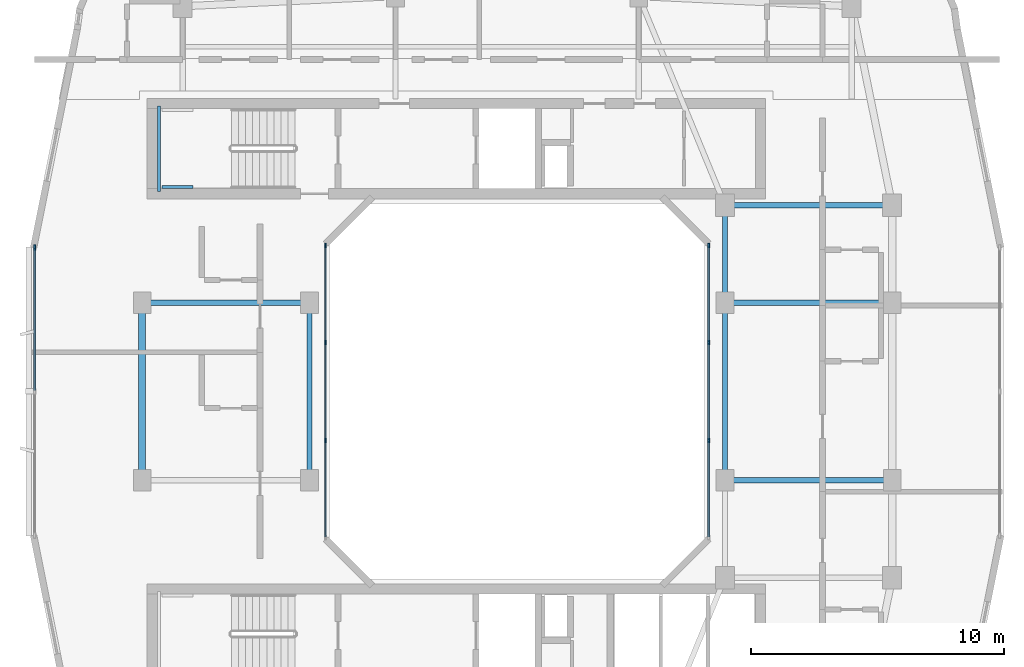
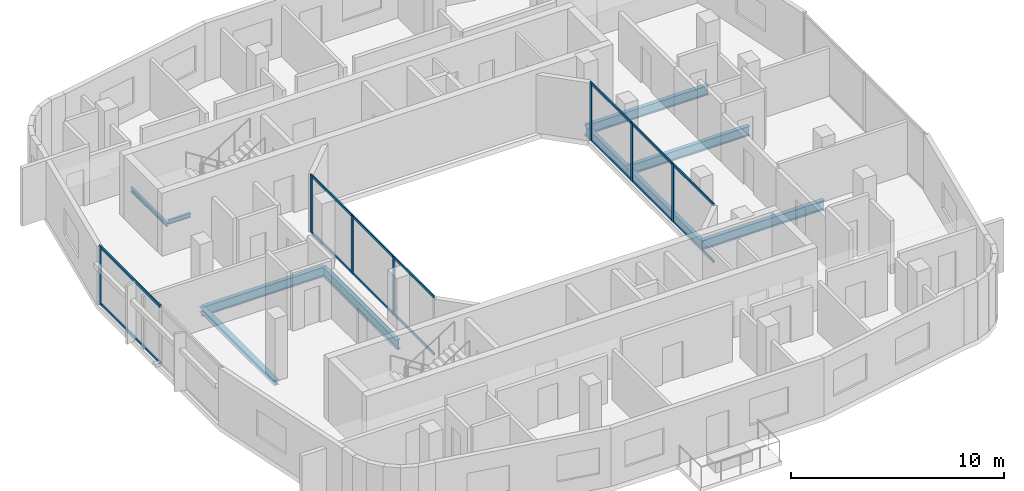
# One storey, part 3 of 13: 21 members, 10 beams, 3 elements without a shape of their own.
"""IFC4 building model written with IfcOpenShell, lengths in metres."""

from ifc_helpers import new_model, si_unit, derived_unit, direction, frame, origin, origin_2d, place, context, subcontext, project, spatial, rectangle, i_section, extrude, material, layer, layer_set, material_profile, profile_set, type_object, element, aggregate, save


model = new_model("IFC4")

# Units and contexts
model_context = context("Model", 3, precision=1e-05, world=origin(), true_north=direction((0.0, 1.0)))
body_context = subcontext(model_context, "Body", "Model", "MODEL_VIEW")
ifc_project = project(units=[si_unit("LENGTHUNIT", "METRE"), si_unit("AREAUNIT", "SQUARE_METRE"), si_unit("VOLUMEUNIT", "CUBIC_METRE"), si_unit("PLANEANGLEUNIT", "RADIAN"), si_unit("MASSUNIT", "GRAM", prefix="KILO"), derived_unit("THERMALTRANSMITTANCEUNIT", [(si_unit("POWERUNIT", "WATT"), 1), (si_unit("LENGTHUNIT", "METRE"), -2), (si_unit("THERMODYNAMICTEMPERATUREUNIT", "KELVIN"), -1)])], contexts=[model_context])

# Site, building, storey
site_placement = place(None, origin())
site = spatial("IfcSite", under=ifc_project, at=site_placement, CompositionType="ELEMENT")
building_placement = place(site_placement, origin())
building = spatial("IfcBuilding", under=site, at=building_placement, Name="Kivonza Crest Hotel", CompositionType="ELEMENT")
storey_placement = place(building_placement, frame((0.0, 0.0, 231.5)))
storey = spatial("IfcBuildingStorey", under=building, at=storey_placement, Name="L63", CompositionType="ELEMENT", Elevation=231.5)

# Beams
ifc_material_1 = material(Name="Steel S355", Category="steel")
ifc_material_profile_1 = material_profile(ifc_material_1, i_section(OverallWidth=0.280029296875, OverallDepth=0.280029296875, WebThickness=0.010498046875, FlangeThickness=0.01806640625, FilletRadius=0.02392578125, at=origin_2d()), Name="HEB 280")
ifc_profile_set_1 = profile_set([ifc_material_profile_1], Name="Steel S355")
beam_type_1 = type_object("IfcBeamType", Name="BM-HEB280", PredefinedType="SPANDREL", material=ifc_profile_set_1)
beam_1_placement = place(storey_placement, frame((6.199951171875, 28.5, -0.419921875), z_axis=(0.0, -1.0, 0.0), x_axis=(1.0, 0.0, 0.0)))
element("IfcBeam", 1, at=beam_1_placement, inside=storey, type_object=beam_type_1, Name="Tower T1 L63 perimeter spandrel W2-W1", PredefinedType="SPANDREL", context=body_context, shape_type="SweptSolid", body=[
    extrude(i_section(OverallWidth=0.280029296875, OverallDepth=0.280029296875, WebThickness=0.010498046875, FlangeThickness=0.01806640625, FilletRadius=0.02392578125, at=origin_2d()), origin(), (0.0, 0.0, 1.0), 7.0),
])
ifc_material_profile_2 = material_profile(ifc_material_1, i_section(OverallWidth=0.2099609375, OverallDepth=0.550048828125, WebThickness=0.010986328125, FlangeThickness=0.01708984375, FilletRadius=0.02392578125, at=origin_2d()), Name="IPE 550")
ifc_profile_set_2 = profile_set([ifc_material_profile_2], Name="Steel S355")
beam_type_2 = type_object("IfcBeamType", Name="BM-IPE550", PredefinedType="BEAM", material=ifc_profile_set_2)
beam_2_placement = place(storey_placement, frame((6.199951171875, 28.5, -0.554931640625), z_axis=(1.0, 0.0, 0.0), x_axis=(0.0, 1.0, 0.0)))
element("IfcBeam", 2, at=beam_2_placement, inside=storey, type_object=beam_type_2, Name="Tower T1 L63 primary girder W2-WL2", PredefinedType="BEAM", context=body_context, shape_type="SweptSolid", body=[
    extrude(i_section(OverallWidth=0.2099609375, OverallDepth=0.550048828125, WebThickness=0.010986328125, FlangeThickness=0.01708984375, FilletRadius=0.02392578125, at=origin_2d()), origin(), (0.0, 0.0, 1.0), 6.60009765625),
])
beam_3_placement = place(storey_placement, frame((12.800048828125, 21.5, -0.554931640625), z_axis=(0.0, 1.0, 0.0), x_axis=(-1.0, 0.0, 0.0)))
element("IfcBeam", 3, at=beam_3_placement, inside=storey, type_object=beam_type_2, Name="Tower T1 L63 primary girder WL1-WL2", PredefinedType="BEAM", context=body_context, shape_type="SweptSolid", body=[
    extrude(i_section(OverallWidth=0.2099609375, OverallDepth=0.550048828125, WebThickness=0.010986328125, FlangeThickness=0.01708984375, FilletRadius=0.02392578125, at=origin_2d()), origin(), (0.0, 0.0, 1.0), 7.0),
])
beam_4_placement = place(storey_placement, frame((29.199951171875, 32.35009765625, -0.554931640625), z_axis=(1.0, 0.0, 0.0), x_axis=(0.0, 1.0, 0.0)))
element("IfcBeam", 4, at=beam_4_placement, inside=storey, type_object=beam_type_2, Name="Tower T1 L63 primary girder TNE-PNE", PredefinedType="BEAM", context=body_context, shape_type="SweptSolid", body=[
    extrude(i_section(OverallWidth=0.2099609375, OverallDepth=0.550048828125, WebThickness=0.010986328125, FlangeThickness=0.01708984375, FilletRadius=0.02392578125, at=origin_2d()), origin(), (0.0, 0.0, 1.0), 6.60009765625),
])
beam_5_placement = place(storey_placement, frame((29.199951171875, 21.5, -0.554931640625), z_axis=(0.0, 1.0, 0.0), x_axis=(-1.0, 0.0, 0.0)))
element("IfcBeam", 5, at=beam_5_placement, inside=storey, type_object=beam_type_2, Name="Tower T1 L63 primary girder WR1-WR2", PredefinedType="BEAM", context=body_context, shape_type="SweptSolid", body=[
    extrude(i_section(OverallWidth=0.2099609375, OverallDepth=0.550048828125, WebThickness=0.010986328125, FlangeThickness=0.01708984375, FilletRadius=0.02392578125, at=origin_2d()), origin(), (0.0, 0.0, 1.0), 7.0),
])
beam_6_placement = place(storey_placement, frame((29.199951171875, 28.5, -0.554931640625), z_axis=(0.0, 1.0, 0.0), x_axis=(-1.0, 0.0, 0.0)))
element("IfcBeam", 6, at=beam_6_placement, inside=storey, type_object=beam_type_2, Name="Tower T1 L63 primary girder WR2-TNE", PredefinedType="BEAM", context=body_context, shape_type="SweptSolid", body=[
    extrude(i_section(OverallWidth=0.2099609375, OverallDepth=0.550048828125, WebThickness=0.010986328125, FlangeThickness=0.01708984375, FilletRadius=0.02392578125, at=origin_2d()), origin(), (0.0, 0.0, 1.0), 3.85009765625),
])
for number, where, z_axis, x_axis, name in (
    (7, (29.199951171875, 21.5, -0.554931640625), (1.0, 0.0, 0.0), (0.0, 1.0, 0.0), "Tower T1 L63 primary girder WR1-E1"),
    (8, (29.199951171875, 28.5, -0.554931640625), (1.0, 0.0, 0.0), (0.0, 1.0, 0.0), "Tower T1 L63 primary girder WR2-E2"),
):
    element("IfcBeam", number, at=place(storey_placement, frame(where, z_axis=z_axis, x_axis=x_axis)), inside=storey, type_object=beam_type_2, Name=name, PredefinedType="BEAM", context=body_context, shape_type="SweptSolid", body=[
        extrude(i_section(OverallWidth=0.2099609375, OverallDepth=0.550048828125, WebThickness=0.010986328125, FlangeThickness=0.01708984375, FilletRadius=0.02392578125, at=origin_2d()), origin(), (0.0, 0.0, 1.0), 6.60009765625),
    ])
ifc_material_profile_3 = material_profile(ifc_material_1, i_section(OverallWidth=0.1201171875, OverallDepth=0.239990234375, WebThickness=0.006103515625, FlangeThickness=0.009765625, FilletRadius=0.014892578125, at=origin_2d()), Name="IPE 240")
ifc_profile_set_3 = profile_set([ifc_material_profile_3], Name="Steel S355")
beam_type_3 = type_object("IfcBeamType", Name="BM-LLDG-240", PredefinedType="BEAM", material=ifc_profile_set_3)
beam_7_placement = place(storey_placement, frame((6.860107421875, 32.89990234375, 1.47998046875), z_axis=(0.0, 1.0, 0.0), x_axis=(-1.0, 0.0, 0.0)))
element("IfcBeam", 9, at=beam_7_placement, inside=storey, type_object=beam_type_3, Name="Stair ST-T1-N L63 West landing corbel", PredefinedType="BEAM", context=body_context, shape_type="SweptSolid", body=[
    extrude(i_section(OverallWidth=0.1201171875, OverallDepth=0.239990234375, WebThickness=0.006103515625, FlangeThickness=0.009765625, FilletRadius=0.014892578125, at=origin_2d()), origin(), (0.0, 0.0, 1.0), 3.360107421875),
])
beam_8_placement = place(storey_placement, frame((6.989990234375, 33.06005859375, 1.47998046875), z_axis=(1.0, 0.0, 0.0), x_axis=(0.0, 1.0, 0.0)))
element("IfcBeam", 10, at=beam_8_placement, inside=storey, type_object=beam_type_3, Name="Stair ST-T1-N L63 South landing corbel", PredefinedType="BEAM", context=body_context, shape_type="SweptSolid", body=[
    extrude(i_section(OverallWidth=0.1201171875, OverallDepth=0.239990234375, WebThickness=0.006103515625, FlangeThickness=0.009765625, FilletRadius=0.014892578125, at=origin_2d()), origin(), (0.0, 0.0, 1.0), 1.2099609375),
])

# Curtain wall, members
ifc_material_2 = material(Name="Anodised bronze aluminium and low-E double glazing", Category="aluminium")
ifc_layer_1 = layer(ifc_material_2, 0.159912109375)
ifc_layer_set_1 = layer_set([ifc_layer_1], Name="Anodised bronze aluminium and low-E double glazing")
curtain_wall_type_1 = type_object("IfcCurtainWallType", Name="CW-SYS-5", PredefinedType="NOTDEFINED", material=ifc_layer_set_1)
curtain_wall_1_placement = place(storey_placement, origin())
curtain_wall_1 = element("IfcCurtainWall", 11, at=curtain_wall_1_placement, inside=storey, type_object=curtain_wall_type_1, Name="L63 unitised curtain wall CW-WELL-T1-L63-3", PredefinedType="NOTDEFINED")
ifc_material_3 = material(Name="Anodised bronze aluminium", Category="aluminium")
ifc_material_profile_4 = material_profile(ifc_material_3, rectangle(XDim=0.06494140625, YDim=0.179931640625, at=origin_2d()), Name="CW-M 65x180")
ifc_profile_set_4 = profile_set([ifc_material_profile_4], Name="Anodised bronze aluminium")
member_type_1 = type_object("IfcMemberType", Name="CW-MUL-65x180", PredefinedType="MULLION", material=ifc_profile_set_4)
member_1_placement = place(storey_placement, frame((28.56005859375, 23.066650390625, 0.0), z_axis=(0.0, 0.0, 1.0), x_axis=(-1.0, 0.0, 0.0)))
member_1 = element("IfcMember", 12, at=member_1_placement, type_object=member_type_1, Name="CW-5 mullion 2", PredefinedType="MULLION", context=body_context, shape_type="SweptSolid", body=[
    extrude(rectangle(XDim=0.06494140625, YDim=0.179931640625, at=origin_2d()), origin(), (0.0, 0.0, 1.0), 3.320068359375),
])
member_2_placement = place(storey_placement, frame((28.56005859375, 26.933349609375, 0.0), z_axis=(0.0, 0.0, 1.0), x_axis=(-1.0, 0.0, 0.0)))
member_2 = element("IfcMember", 13, at=member_2_placement, type_object=member_type_1, Name="CW-5 mullion 3", PredefinedType="MULLION", context=body_context, shape_type="SweptSolid", body=[
    extrude(rectangle(XDim=0.06494140625, YDim=0.179931640625, at=origin_2d()), origin(), (0.0, 0.0, 1.0), 3.320068359375),
])
member_3_placement = place(storey_placement, frame((28.56005859375, 30.767578125, 0.0), z_axis=(0.0, 0.0, 1.0), x_axis=(-1.0, 0.0, 0.0)))
member_3 = element("IfcMember", 14, at=member_3_placement, type_object=member_type_1, Name="CW-5 mullion 4", PredefinedType="MULLION", context=body_context, shape_type="SweptSolid", body=[
    extrude(rectangle(XDim=0.06494140625, YDim=0.179931640625, at=origin_2d()), origin(), (0.0, 0.0, 1.0), 3.320068359375),
])

curtain_wall_2_placement = place(storey_placement, origin())
curtain_wall_2 = element("IfcCurtainWall", 15, at=curtain_wall_2_placement, inside=storey, type_object=curtain_wall_type_1, Name="L63 unitised curtain wall CW-WELL-T1-L63-7", PredefinedType="NOTDEFINED")
member_4_placement = place(storey_placement, frame((13.43994140625, 30.767578125, 0.0), z_axis=(0.0, 0.0, 1.0), x_axis=(1.0, 0.0, 0.0)))
member_4 = element("IfcMember", 16, at=member_4_placement, type_object=member_type_1, Name="CW-5 mullion 1", PredefinedType="MULLION", context=body_context, shape_type="SweptSolid", body=[
    extrude(rectangle(XDim=0.06494140625, YDim=0.179931640625, at=origin_2d()), origin(), (0.0, 0.0, 1.0), 3.320068359375),
])
member_5_placement = place(storey_placement, frame((13.43994140625, 26.933349609375, 0.0), z_axis=(0.0, 0.0, 1.0), x_axis=(1.0, 0.0, 0.0)))
member_5 = element("IfcMember", 17, at=member_5_placement, type_object=member_type_1, Name="CW-5 mullion 2", PredefinedType="MULLION", context=body_context, shape_type="SweptSolid", body=[
    extrude(rectangle(XDim=0.06494140625, YDim=0.179931640625, at=origin_2d()), origin(), (0.0, 0.0, 1.0), 3.320068359375),
])
member_6_placement = place(storey_placement, frame((13.43994140625, 23.066650390625, 0.0), z_axis=(0.0, 0.0, 1.0), x_axis=(1.0, 0.0, 0.0)))
member_6 = element("IfcMember", 18, at=member_6_placement, type_object=member_type_1, Name="CW-5 mullion 3", PredefinedType="MULLION", context=body_context, shape_type="SweptSolid", body=[
    extrude(rectangle(XDim=0.06494140625, YDim=0.179931640625, at=origin_2d()), origin(), (0.0, 0.0, 1.0), 3.320068359375),
])

# Curtain wall, member
ifc_layer_2 = layer(ifc_material_2, 0.179931640625)
ifc_layer_set_2 = layer_set([ifc_layer_2], Name="Anodised bronze aluminium and low-E double glazing")
curtain_wall_type_2 = type_object("IfcCurtainWallType", Name="CW-SYS-3", PredefinedType="NOTDEFINED", material=ifc_layer_set_2)
curtain_wall_3_placement = place(storey_placement, origin())
curtain_wall_3 = element("IfcCurtainWall", 19, at=curtain_wall_3_placement, inside=storey, type_object=curtain_wall_type_2, Name="L63 unitised curtain wall CW-T1-L63-35", PredefinedType="NOTDEFINED")
ifc_material_profile_5 = material_profile(ifc_material_3, rectangle(XDim=0.074951171875, YDim=0.219970703125, at=origin_2d()), Name="CW-M 75x220")
ifc_profile_set_5 = profile_set([ifc_material_profile_5], Name="Anodised bronze aluminium")
member_type_2 = type_object("IfcMemberType", Name="CW-MUL-75x220", PredefinedType="MULLION", material=ifc_profile_set_5)
member_7_placement = place(storey_placement, frame((1.9599609375, 30.6826171875, 0.0), z_axis=(0.0, 0.0, 1.0), x_axis=(1.0, 0.0, 0.0)))
member_7 = element("IfcMember", 20, at=member_7_placement, type_object=member_type_2, Name="CW-3 mullion 1", PredefinedType="MULLION", context=body_context, shape_type="SweptSolid", body=[
    extrude(rectangle(XDim=0.074951171875, YDim=0.219970703125, at=origin_2d()), origin(), (0.0, 0.0, 1.0), 3.320068359375),
])

# Member
ifc_material_profile_6 = material_profile(ifc_material_3, rectangle(XDim=0.06494140625, YDim=0.139892578125, at=origin_2d()), Name="CW-T 65x140")
ifc_profile_set_6 = profile_set([ifc_material_profile_6], Name="Anodised bronze aluminium")
member_type_3 = type_object("IfcMemberType", Name="CW-TRN-65x140", PredefinedType="USERDEFINED", material=ifc_profile_set_6)
member_8_placement = place(storey_placement, frame((28.56005859375, 19.264892578125, 0.032470703125), z_axis=(0.0, 1.0, 0.0), x_axis=(-1.0, 0.0, 0.0)))
member_8 = element("IfcMember", 21, at=member_8_placement, type_object=member_type_3, Name="CW-5 transom 1.1", ObjectType="TRANSOM", PredefinedType="USERDEFINED", context=body_context, shape_type="SweptSolid", body=[
    extrude(rectangle(XDim=0.06494140625, YDim=0.139892578125, at=origin_2d()), origin(), (0.0, 0.0, 1.0), 3.769287109375),
])

member_9_placement = place(storey_placement, frame((28.56005859375, 19.264892578125, 3.28759765625), z_axis=(0.0, 1.0, 0.0), x_axis=(-1.0, 0.0, 0.0)))
member_9 = element("IfcMember", 22, at=member_9_placement, type_object=member_type_3, Name="CW-5 transom 1.2", ObjectType="TRANSOM", PredefinedType="USERDEFINED", context=body_context, shape_type="SweptSolid", body=[
    extrude(rectangle(XDim=0.06494140625, YDim=0.139892578125, at=origin_2d()), origin(), (0.0, 0.0, 1.0), 3.769287109375),
])

member_10_placement = place(storey_placement, frame((28.56005859375, 23.09912109375, 0.032470703125), z_axis=(0.0, 1.0, 0.0), x_axis=(-1.0, 0.0, 0.0)))
member_10 = element("IfcMember", 23, at=member_10_placement, type_object=member_type_3, Name="CW-5 transom 2.1", ObjectType="TRANSOM", PredefinedType="USERDEFINED", context=body_context, shape_type="SweptSolid", body=[
    extrude(rectangle(XDim=0.06494140625, YDim=0.139892578125, at=origin_2d()), origin(), (0.0, 0.0, 1.0), 3.8017578125),
])

member_11_placement = place(storey_placement, frame((28.56005859375, 23.09912109375, 3.28759765625), z_axis=(0.0, 1.0, 0.0), x_axis=(-1.0, 0.0, 0.0)))
member_11 = element("IfcMember", 24, at=member_11_placement, type_object=member_type_3, Name="CW-5 transom 2.2", ObjectType="TRANSOM", PredefinedType="USERDEFINED", context=body_context, shape_type="SweptSolid", body=[
    extrude(rectangle(XDim=0.06494140625, YDim=0.139892578125, at=origin_2d()), origin(), (0.0, 0.0, 1.0), 3.8017578125),
])

member_12_placement = place(storey_placement, frame((28.56005859375, 26.9658203125, 0.032470703125), z_axis=(0.0, 1.0, 0.0), x_axis=(-1.0, 0.0, 0.0)))
member_12 = element("IfcMember", 25, at=member_12_placement, type_object=member_type_3, Name="CW-5 transom 3.1", ObjectType="TRANSOM", PredefinedType="USERDEFINED", context=body_context, shape_type="SweptSolid", body=[
    extrude(rectangle(XDim=0.06494140625, YDim=0.139892578125, at=origin_2d()), origin(), (0.0, 0.0, 1.0), 3.769287109375),
])

member_13_placement = place(storey_placement, frame((28.56005859375, 26.9658203125, 3.28759765625), z_axis=(0.0, 1.0, 0.0), x_axis=(-1.0, 0.0, 0.0)))
member_13 = element("IfcMember", 26, at=member_13_placement, type_object=member_type_3, Name="CW-5 transom 3.2", ObjectType="TRANSOM", PredefinedType="USERDEFINED", context=body_context, shape_type="SweptSolid", body=[
    extrude(rectangle(XDim=0.06494140625, YDim=0.139892578125, at=origin_2d()), origin(), (0.0, 0.0, 1.0), 3.769287109375),
])

aggregate(curtain_wall_1, [member_1, member_2, member_3, member_8, member_9, member_10, member_11, member_12, member_13])

member_14_placement = place(storey_placement, frame((13.43994140625, 30.735107421875, 0.032470703125), z_axis=(0.0, -1.0, 0.0), x_axis=(1.0, 0.0, 0.0)))
member_14 = element("IfcMember", 27, at=member_14_placement, type_object=member_type_3, Name="CW-5 transom 1.1", ObjectType="TRANSOM", PredefinedType="USERDEFINED", context=body_context, shape_type="SweptSolid", body=[
    extrude(rectangle(XDim=0.06494140625, YDim=0.139892578125, at=origin_2d()), origin(), (0.0, 0.0, 1.0), 3.769287109375),
])

member_15_placement = place(storey_placement, frame((13.43994140625, 30.735107421875, 3.28759765625), z_axis=(0.0, -1.0, 0.0), x_axis=(1.0, 0.0, 0.0)))
member_15 = element("IfcMember", 28, at=member_15_placement, type_object=member_type_3, Name="CW-5 transom 1.2", ObjectType="TRANSOM", PredefinedType="USERDEFINED", context=body_context, shape_type="SweptSolid", body=[
    extrude(rectangle(XDim=0.06494140625, YDim=0.139892578125, at=origin_2d()), origin(), (0.0, 0.0, 1.0), 3.769287109375),
])

member_16_placement = place(storey_placement, frame((13.43994140625, 26.90087890625, 0.032470703125), z_axis=(0.0, -1.0, 0.0), x_axis=(1.0, 0.0, 0.0)))
member_16 = element("IfcMember", 29, at=member_16_placement, type_object=member_type_3, Name="CW-5 transom 2.1", ObjectType="TRANSOM", PredefinedType="USERDEFINED", context=body_context, shape_type="SweptSolid", body=[
    extrude(rectangle(XDim=0.06494140625, YDim=0.139892578125, at=origin_2d()), origin(), (0.0, 0.0, 1.0), 3.8017578125),
])

member_17_placement = place(storey_placement, frame((13.43994140625, 26.90087890625, 3.28759765625), z_axis=(0.0, -1.0, 0.0), x_axis=(1.0, 0.0, 0.0)))
member_17 = element("IfcMember", 30, at=member_17_placement, type_object=member_type_3, Name="CW-5 transom 2.2", ObjectType="TRANSOM", PredefinedType="USERDEFINED", context=body_context, shape_type="SweptSolid", body=[
    extrude(rectangle(XDim=0.06494140625, YDim=0.139892578125, at=origin_2d()), origin(), (0.0, 0.0, 1.0), 3.8017578125),
])

member_18_placement = place(storey_placement, frame((13.43994140625, 23.0341796875, 0.032470703125), z_axis=(0.0, -1.0, 0.0), x_axis=(1.0, 0.0, 0.0)))
member_18 = element("IfcMember", 31, at=member_18_placement, type_object=member_type_3, Name="CW-5 transom 3.1", ObjectType="TRANSOM", PredefinedType="USERDEFINED", context=body_context, shape_type="SweptSolid", body=[
    extrude(rectangle(XDim=0.06494140625, YDim=0.139892578125, at=origin_2d()), origin(), (0.0, 0.0, 1.0), 3.769287109375),
])

member_19_placement = place(storey_placement, frame((13.43994140625, 23.0341796875, 3.28759765625), z_axis=(0.0, -1.0, 0.0), x_axis=(1.0, 0.0, 0.0)))
member_19 = element("IfcMember", 32, at=member_19_placement, type_object=member_type_3, Name="CW-5 transom 3.2", ObjectType="TRANSOM", PredefinedType="USERDEFINED", context=body_context, shape_type="SweptSolid", body=[
    extrude(rectangle(XDim=0.06494140625, YDim=0.139892578125, at=origin_2d()), origin(), (0.0, 0.0, 1.0), 3.769287109375),
])

aggregate(curtain_wall_2, [member_4, member_5, member_6, member_14, member_15, member_16, member_17, member_18, member_19])

ifc_material_profile_7 = material_profile(ifc_material_3, rectangle(XDim=0.074951171875, YDim=0.159912109375, at=origin_2d()), Name="CW-T 75x160")
ifc_profile_set_7 = profile_set([ifc_material_profile_7], Name="Anodised bronze aluminium")
member_type_4 = type_object("IfcMemberType", Name="CW-TRN-75x160", PredefinedType="USERDEFINED", material=ifc_profile_set_7)
member_20_placement = place(storey_placement, frame((1.9599609375, 30.64501953125, 0.03759765625), z_axis=(0.0, -1.0, 0.0), x_axis=(1.0, 0.0, 0.0)))
member_20 = element("IfcMember", 33, at=member_20_placement, type_object=member_type_4, Name="CW-3 transom 1.1", ObjectType="TRANSOM", PredefinedType="USERDEFINED", context=body_context, shape_type="SweptSolid", body=[
    extrude(rectangle(XDim=0.074951171875, YDim=0.159912109375, at=origin_2d()), origin(), (0.0, 0.0, 1.0), 5.607421875),
])

member_21_placement = place(storey_placement, frame((1.9599609375, 30.64501953125, 3.282470703125), z_axis=(0.0, -1.0, 0.0), x_axis=(1.0, 0.0, 0.0)))
member_21 = element("IfcMember", 34, at=member_21_placement, type_object=member_type_4, Name="CW-3 transom 1.2", ObjectType="TRANSOM", PredefinedType="USERDEFINED", context=body_context, shape_type="SweptSolid", body=[
    extrude(rectangle(XDim=0.074951171875, YDim=0.159912109375, at=origin_2d()), origin(), (0.0, 0.0, 1.0), 5.607421875),
])

aggregate(curtain_wall_3, [member_7, member_20, member_21])

save(model, "model.ifc")
